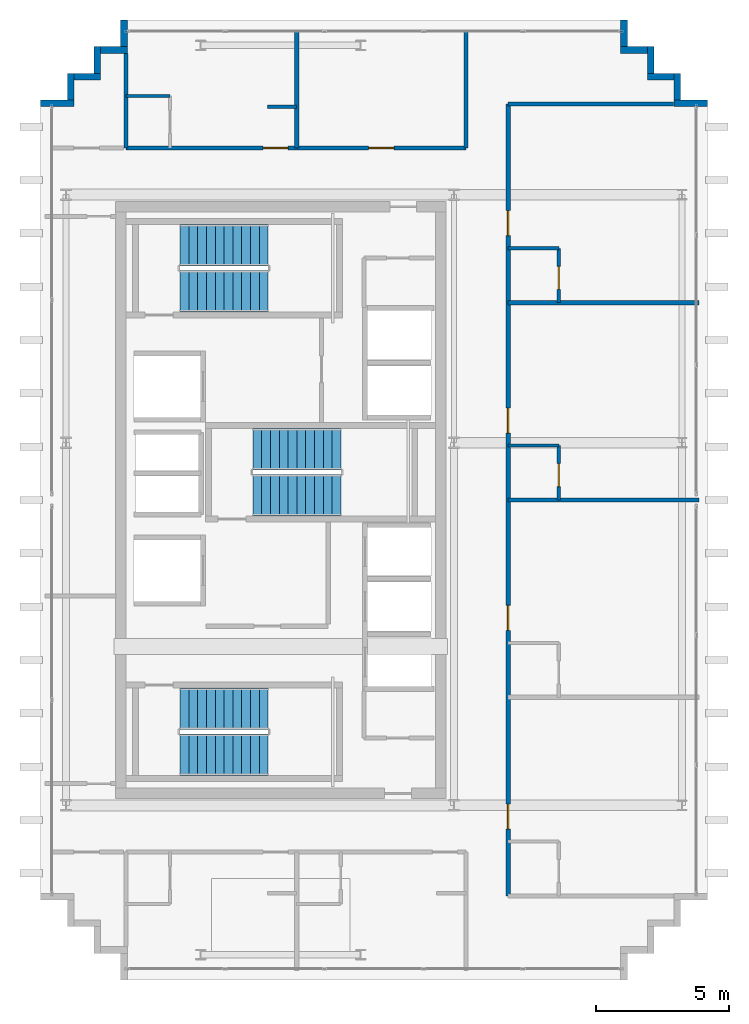
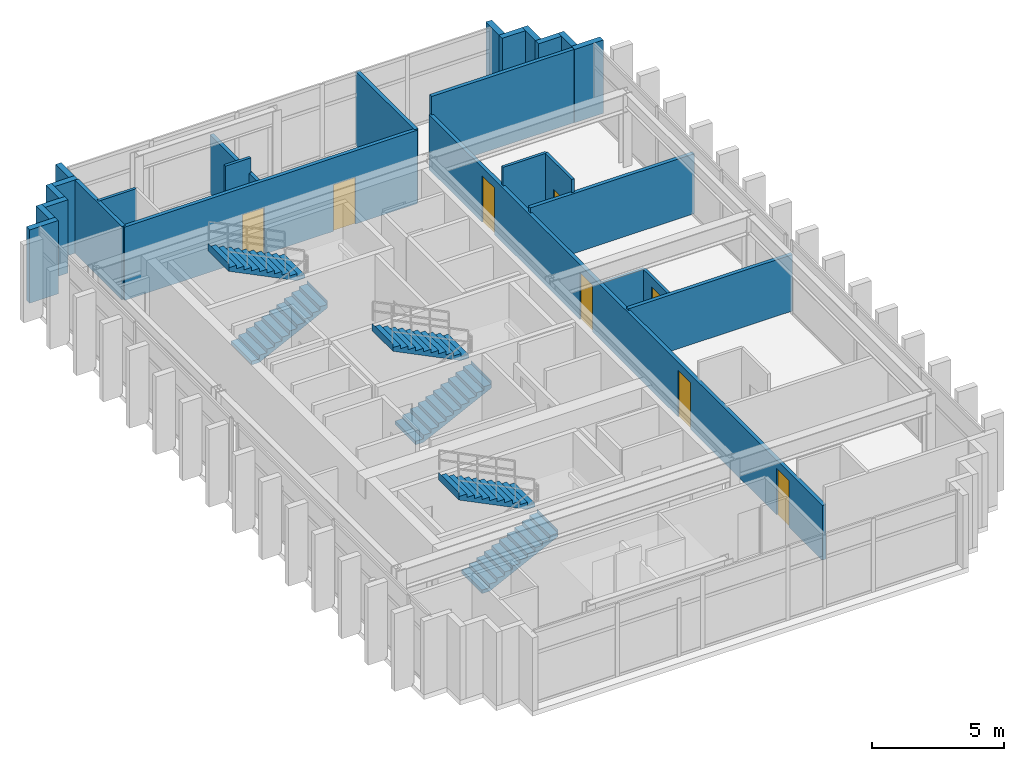
# One storey, part 14 of 15: 26 walls, 8 doors, 6 stair flights, 8 openings, 3 elements without a shape of their own.
"""IFC4 building model written with IfcOpenShell, lengths in metres."""

from ifc_helpers import new_model, si_unit, direction, frame, frame_2d, origin, place, context, subcontext, project, spatial, polyline, rectangle, outline, extrude, source, transform, mapped, material, layer, layer_set, type_object, element, fill, aggregate, save


model = new_model("IFC4")

# Units and contexts
model_context = context("Model", 3, precision=1e-05, world=origin(), true_north=direction((0.0, 1.0)))
body_context = subcontext(model_context, "Body", "Model", "MODEL_VIEW")
ifc_project = project(units=[si_unit("LENGTHUNIT", "METRE"), si_unit("AREAUNIT", "SQUARE_METRE"), si_unit("VOLUMEUNIT", "CUBIC_METRE"), si_unit("PLANEANGLEUNIT", "RADIAN"), si_unit("MASSUNIT", "GRAM", prefix="KILO")], contexts=[model_context])

# Site, building, storey
site_placement = place(None, origin())
site = spatial("IfcSite", under=ifc_project, at=site_placement, CompositionType="ELEMENT")
building_placement = place(site_placement, origin())
building = spatial("IfcBuilding", under=site, at=building_placement, Name="Ocotamira Hotel", CompositionType="ELEMENT")
storey_placement = place(building_placement, frame((0.0, 0.0, 290.39990234375)))
storey = spatial("IfcBuildingStorey", under=building, at=storey_placement, Name="L74", CompositionType="ELEMENT", Elevation=290.39990234375)

# Walls
ifc_material_1 = material(Name="Precast concrete C45/55", Category="concrete")
ifc_layer_1 = layer(ifc_material_1, 0.25)
ifc_layer_set_1 = layer_set([ifc_layer_1], Name="Precast concrete C45/55")
wall_type_1 = type_object("IfcWallType", Name="WL-EXT-SER-250", PredefinedType="SOLIDWALL", material=ifc_layer_set_1)
wall_1_placement = place(storey_placement, frame((33.0, 40.875, 0.0), z_axis=(0.0, 0.0, 1.0), x_axis=(-1.0, 0.0, 0.0)))
element("IfcWall", 1, at=wall_1_placement, inside=storey, type_object=wall_type_1, Name="L74 Serrated Corner Wall 07", PredefinedType="SOLIDWALL", context=body_context, shape_type="SweptSolid", body=[
    extrude(rectangle(XDim=1.25, YDim=0.25, at=frame_2d((0.625, 0.0))), origin(), (0.0, 0.0, 1.0), 3.380126953125),
])
for number, where, z_axis, x_axis, name in (
    (2, (31.875, 41.0, 0.0), (0.0, 0.0, 1.0), (0.0, 1.0, 0.0), "L74 Serrated Corner Wall 08"),
    (3, (31.75, 41.875, 0.0), (0.0, 0.0, 1.0), (-1.0, 0.0, 0.0), "L74 Serrated Corner Wall 09"),
    (4, (30.875, 42.0, 0.0), (0.0, 0.0, 1.0), (0.0, 1.0, 0.0), "L74 Serrated Corner Wall 10"),
    (5, (30.75, 42.875, 0.0), (0.0, 0.0, 1.0), (-1.0, 0.0, 0.0), "L74 Serrated Corner Wall 11"),
    (6, (29.875, 43.0, 0.0), (0.0, 0.0, 1.0), (0.0, 1.0, 0.0), "L74 Serrated Corner Wall 12"),
    (7, (11.125, 44.0, 0.0), (0.0, 0.0, 1.0), (0.0, -1.0, 0.0), "L74 Serrated Corner Wall 13"),
    (8, (11.25, 42.875, 0.0), (0.0, 0.0, 1.0), (-1.0, 0.0, 0.0), "L74 Serrated Corner Wall 14"),
    (9, (10.125, 43.0, 0.0), (0.0, 0.0, 1.0), (0.0, -1.0, 0.0), "L74 Serrated Corner Wall 15"),
    (10, (10.25, 41.875, 0.0), (0.0, 0.0, 1.0), (-1.0, 0.0, 0.0), "L74 Serrated Corner Wall 16"),
    (11, (9.125, 42.0, 0.0), (0.0, 0.0, 1.0), (0.0, -1.0, 0.0), "L74 Serrated Corner Wall 17"),
):
    element("IfcWall", number, at=place(storey_placement, frame(where, z_axis=z_axis, x_axis=x_axis)), inside=storey, type_object=wall_type_1, Name=name, PredefinedType="SOLIDWALL", context=body_context, shape_type="SweptSolid", body=[
        extrude(rectangle(XDim=1.0, YDim=0.25, at=frame_2d((0.5, 0.0))), origin(), (0.0, 0.0, 1.0), 3.380126953125),
    ])
wall_2_placement = place(storey_placement, frame((9.25, 40.875, 0.0), z_axis=(0.0, 0.0, 1.0), x_axis=(-1.0, 0.0, 0.0)))
element("IfcWall", 12, at=wall_2_placement, inside=storey, type_object=wall_type_1, Name="L74 Serrated Corner Wall 18", PredefinedType="SOLIDWALL", context=body_context, shape_type="SweptSolid", body=[
    extrude(rectangle(XDim=1.25, YDim=0.25, at=frame_2d((0.625, 0.0))), origin(), (0.0, 0.0, 1.0), 3.380126953125),
])

# Wall, openings, doors
ifc_material_2 = material(Name="Acoustic double-layer fire gypsum board partition", Category="gypsum")
ifc_layer_2 = layer(ifc_material_2, 0.159912109375)
ifc_layer_set_2 = layer_set([ifc_layer_2], Name="Acoustic double-layer fire gypsum board partition")
wall_type_2 = type_object("IfcWallType", Name="WL-FIRE-160", PredefinedType="PARTITIONING", material=ifc_layer_set_2)
wall_3_placement = place(storey_placement, frame((11.199951171875, 39.199951171875, 0.0), z_axis=(0.0, 0.0, 1.0), x_axis=(1.0, 0.0, 0.0)))
wall_3 = element("IfcWall", 13, at=wall_3_placement, inside=storey, type_object=wall_type_2, Name="L74 Interior Wall PW-L74-WP1N-CORRW", PredefinedType="PARTITIONING", context=body_context, shape_type="SweptSolid", body=[
    extrude(rectangle(XDim=12.75, YDim=0.159912109375, at=frame_2d((6.375, 0.0))), origin(), (0.0, 0.0, 1.0), 3.380126953125),
])
opening_1_placement = place(wall_3_placement, frame((5.139892578125, 0.0, 0.0)))
opening_1 = element("IfcOpeningElement", 14, at=opening_1_placement, cuts=wall_3, Name="Opening D-GR1", PredefinedType="OPENING", context=body_context, shape_type="SweptSolid", body=[
    extrude(rectangle(XDim=0.93994140625, YDim=2.14990234375, at=frame_2d((0.469970703125, 1.074951171875))), frame((0.0, 0.08984375, 0.0), z_axis=(0.0, -1.0, 0.0), x_axis=(1.0, 0.0, 0.0)), (0.0, 0.0, 1.0), 0.179931640625),
])
opening_2_placement = place(wall_3_placement, frame((9.094970703125, 0.0, 0.0)))
opening_2 = element("IfcOpeningElement", 15, at=opening_2_placement, cuts=wall_3, Name="Opening D-SV4", PredefinedType="OPENING", context=body_context, shape_type="SweptSolid", body=[
    extrude(rectangle(XDim=0.9599609375, YDim=2.14990234375, at=frame_2d((0.47998046875, 1.074951171875))), frame((0.0, 0.08984375, 0.0), z_axis=(0.0, -1.0, 0.0), x_axis=(1.0, 0.0, 0.0)), (0.0, 0.0, 1.0), 0.179931640625),
])
ifc_material_3 = material(Name="Fire-rated accessible walnut salon door", Category="wood")
door_type_1 = type_object("IfcDoorType", Name="DR-SERV-960", OperationType="NOTDEFINED", PredefinedType="DOOR", material=ifc_material_3)
shared_shape_1 = source(origin(), body_context, "Body", "SweptSolid", [
    extrude(rectangle(XDim=0.9599609375, YDim=2.14990234375, at=frame_2d((0.47998046875, 1.074951171875))), frame((0.0, 0.02490234375, 0.0), z_axis=(0.0, -1.0, 0.0), x_axis=(1.0, 0.0, 0.0)), (0.0, 0.0, 1.0), 0.050048828125),
])
door_1_placement = place(opening_2_placement, origin())
door_1 = element("IfcDoor", 16, at=door_1_placement, inside=storey, type_object=door_type_1, Name="L74 Door ID-L74-WP1N-AMD2 [ID-L74-WP1N-AMD2]", OperationType="SINGLE_SWING_RIGHT", OverallHeight=2.14990234375, OverallWidth=0.9599609375, PredefinedType="DOOR", context=body_context, shape_type="MappedRepresentation", body=[
    mapped(shared_shape_1, transform((0.0, 0.0, 0.0), scale=1.0)),
])
fill(opening_2, door_1)
ifc_material_4 = material(Name="Solid-core walnut suite entrance fire door", Category="wood")
door_type_2 = type_object("IfcDoorType", Name="DR-GUEST-940", OperationType="NOTDEFINED", PredefinedType="DOOR", material=ifc_material_4)
shared_shape_2 = source(origin(), body_context, "Body", "SweptSolid", [
    extrude(rectangle(XDim=0.93994140625, YDim=2.14990234375, at=frame_2d((0.469970703125, 1.074951171875))), frame((0.0, 0.02490234375, 0.0), z_axis=(0.0, -1.0, 0.0), x_axis=(1.0, 0.0, 0.0)), (0.0, 0.0, 1.0), 0.050048828125),
])
door_2_placement = place(opening_1_placement, origin())
door_2 = element("IfcDoor", 17, at=door_2_placement, inside=storey, type_object=door_type_2, Name="L74 Door ID-L74-WP1N-RMD1 [ID-L74-WP1N-RMD1]", OperationType="SINGLE_SWING_LEFT", OverallHeight=2.14990234375, OverallWidth=0.93994140625, PredefinedType="DOOR", context=body_context, shape_type="MappedRepresentation", body=[
    mapped(shared_shape_2, transform((0.0, 0.0, 0.0), scale=1.0)),
])
fill(opening_1, door_2)

wall_4_placement = place(storey_placement, frame((25.530029296875, 11.14990234375, 0.0), z_axis=(0.0, 0.0, 1.0), x_axis=(0.0, 1.0, 0.0)))
wall_4 = element("IfcWall", 18, at=wall_4_placement, inside=storey, type_object=wall_type_2, Name="L74 Interior Wall PW-L74-WP-EASTW-FULL", PredefinedType="PARTITIONING", context=body_context, shape_type="SweptSolid", body=[
    extrude(rectangle(XDim=29.7001953125, YDim=0.159912109375, at=frame_2d((14.85009765625, 0.0))), origin(), (0.0, 0.0, 1.0), 2.524169921875),
])
opening_3_placement = place(wall_4_placement, frame((2.510009765625, 0.0, 0.0)))
opening_3 = element("IfcOpeningElement", 19, at=opening_3_placement, cuts=wall_4, Name="Opening D-GR1", PredefinedType="OPENING", context=body_context, shape_type="SweptSolid", body=[
    extrude(rectangle(XDim=0.93994140625, YDim=2.14990234375, at=frame_2d((0.469970703125, 1.074951171875))), frame((0.0, 0.08984375, 0.0), z_axis=(0.0, -1.0, 0.0), x_axis=(1.0, 0.0, 0.0)), (0.0, 0.0, 1.0), 0.179931640625),
])
opening_4_placement = place(wall_4_placement, frame((9.9599609375, 0.0, 0.0)))
opening_4 = element("IfcOpeningElement", 20, at=opening_4_placement, cuts=wall_4, Name="Opening D-GR1", PredefinedType="OPENING", context=body_context, shape_type="SweptSolid", body=[
    extrude(rectangle(XDim=0.93994140625, YDim=2.14990234375, at=frame_2d((0.469970703125, 1.074951171875))), frame((0.0, 0.08984375, 0.0), z_axis=(0.0, -1.0, 0.0), x_axis=(1.0, 0.0, 0.0)), (0.0, 0.0, 1.0), 0.179931640625),
])
opening_5_placement = place(wall_4_placement, frame((17.360107421875, 0.0, 0.0)))
opening_5 = element("IfcOpeningElement", 21, at=opening_5_placement, cuts=wall_4, Name="Opening D-GR1", PredefinedType="OPENING", context=body_context, shape_type="SweptSolid", body=[
    extrude(rectangle(XDim=0.93994140625, YDim=2.14990234375, at=frame_2d((0.469970703125, 1.074951171875))), frame((0.0, 0.08984375, 0.0), z_axis=(0.0, -1.0, 0.0), x_axis=(1.0, 0.0, 0.0)), (0.0, 0.0, 1.0), 0.179931640625),
])
opening_6_placement = place(wall_4_placement, frame((24.760009765625, 0.0, 0.0)))
opening_6 = element("IfcOpeningElement", 22, at=opening_6_placement, cuts=wall_4, Name="Opening D-GR1", PredefinedType="OPENING", context=body_context, shape_type="SweptSolid", body=[
    extrude(rectangle(XDim=0.93994140625, YDim=2.14990234375, at=frame_2d((0.469970703125, 1.074951171875))), frame((0.0, 0.08984375, 0.0), z_axis=(0.0, -1.0, 0.0), x_axis=(1.0, 0.0, 0.0)), (0.0, 0.0, 1.0), 0.179931640625),
])
door_3_placement = place(opening_3_placement, origin())
door_3 = element("IfcDoor", 23, at=door_3_placement, inside=storey, type_object=door_type_2, Name="L74 Door ID-L74-WP-ERD1 [ID-L74-WP-ERD1]", OperationType="SINGLE_SWING_LEFT", OverallHeight=2.14990234375, OverallWidth=0.93994140625, PredefinedType="DOOR", context=body_context, shape_type="MappedRepresentation", body=[
    mapped(shared_shape_2, transform((0.0, 0.0, 0.0), scale=1.0)),
])
fill(opening_3, door_3)
door_4_placement = place(opening_4_placement, origin())
door_4 = element("IfcDoor", 24, at=door_4_placement, inside=storey, type_object=door_type_2, Name="L74 Door ID-L74-WP-ERD2 [ID-L74-WP-ERD2]", OperationType="SINGLE_SWING_RIGHT", OverallHeight=2.14990234375, OverallWidth=0.93994140625, PredefinedType="DOOR", context=body_context, shape_type="MappedRepresentation", body=[
    mapped(shared_shape_2, transform((0.0, 0.0, 0.0), scale=1.0)),
])
fill(opening_4, door_4)
door_5_placement = place(opening_5_placement, origin())
door_5 = element("IfcDoor", 25, at=door_5_placement, inside=storey, type_object=door_type_2, Name="L74 Door ID-L74-WP-ERD3 [ID-L74-WP-ERD3]", OperationType="SINGLE_SWING_LEFT", OverallHeight=2.14990234375, OverallWidth=0.93994140625, PredefinedType="DOOR", context=body_context, shape_type="MappedRepresentation", body=[
    mapped(shared_shape_2, transform((0.0, 0.0, 0.0), scale=1.0)),
])
fill(opening_5, door_5)
door_6_placement = place(opening_6_placement, origin())
door_6 = element("IfcDoor", 26, at=door_6_placement, inside=storey, type_object=door_type_2, Name="L74 Door ID-L74-WP-ERD4 [ID-L74-WP-ERD4]", OperationType="SINGLE_SWING_RIGHT", OverallHeight=2.14990234375, OverallWidth=0.93994140625, PredefinedType="DOOR", context=body_context, shape_type="MappedRepresentation", body=[
    mapped(shared_shape_2, transform((0.0, 0.0, 0.0), scale=1.0)),
])
fill(opening_6, door_6)

# Walls
ifc_material_5 = material(Name="Moisture-resistant en-suite tile and gypsum partition", Category="gypsum")
ifc_layer_3 = layer(ifc_material_5, 0.1201171875)
ifc_layer_set_3 = layer_set([ifc_layer_3], Name="Moisture-resistant en-suite tile and gypsum partition")
wall_type_3 = type_object("IfcWallType", Name="WL-PART-120", PredefinedType="PARTITIONING", material=ifc_layer_set_3)
wall_5_placement = place(storey_placement, frame((11.199951171875, 41.14990234375, 0.0), z_axis=(0.0, 0.0, 1.0), x_axis=(1.0, 0.0, 0.0)))
element("IfcWall", 27, at=wall_5_placement, inside=storey, type_object=wall_type_3, Name="L74 Interior Wall PW-L74-WP1N-BAN1", PredefinedType="PARTITIONING", context=body_context, shape_type="SweptSolid", body=[
    extrude(rectangle(XDim=1.650146484375, YDim=0.1201171875, at=frame_2d((0.8251953125, 0.0))), origin(), (0.0, 0.0, 1.0), 3.380126953125),
])
wall_6_placement = place(storey_placement, frame((16.5, 40.75, 0.0), z_axis=(0.0, 0.0, 1.0), x_axis=(1.0, 0.0, 0.0)))
element("IfcWall", 28, at=wall_6_placement, inside=storey, type_object=wall_type_3, Name="L74 Interior Wall PW-L74-WP1N-DRN1", PredefinedType="PARTITIONING", context=body_context, shape_type="SweptSolid", body=[
    extrude(rectangle(XDim=1.10009765625, YDim=0.1201171875, at=frame_2d((0.550048828125, 0.0))), origin(), (0.0, 0.0, 1.0), 3.380126953125),
])

# Wall, opening, door
wall_7_placement = place(storey_placement, frame((27.429931640625, 26.0, 0.0), z_axis=(0.0, 0.0, 1.0), x_axis=(0.0, 1.0, 0.0)))
wall_7 = element("IfcWall", 29, at=wall_7_placement, inside=storey, type_object=wall_type_3, Name="L74 Interior Wall PW-L74-WP-EBE3", PredefinedType="PARTITIONING", context=body_context, shape_type="SweptSolid", body=[
    extrude(rectangle(XDim=2.0400390625, YDim=0.1201171875, at=frame_2d((1.02001953125, 0.0))), origin(), (0.0, 0.0, 1.0), 2.524169921875),
])
opening_7_placement = place(wall_7_placement, frame((0.5, 0.0, 0.0)))
opening_7 = element("IfcOpeningElement", 30, at=opening_7_placement, cuts=wall_7, Name="Opening D-BA1", PredefinedType="OPENING", context=body_context, shape_type="SweptSolid", body=[
    extrude(rectangle(XDim=0.860107421875, YDim=2.10009765625, at=frame_2d((0.43017578125, 1.050048828125))), frame((0.0, 0.070068359375, 0.0), z_axis=(0.0, -1.0, 0.0), x_axis=(1.0, 0.0, 0.0)), (0.0, 0.0, 1.0), 0.14013671875),
])
ifc_material_6 = material(Name="Moisture-sealed en-suite timber door", Category="wood")
door_type_3 = type_object("IfcDoorType", Name="DR-BATH-860", OperationType="NOTDEFINED", PredefinedType="DOOR", material=ifc_material_6)
shared_shape_3 = source(origin(), body_context, "Body", "SweptSolid", [
    extrude(rectangle(XDim=0.860107421875, YDim=2.10009765625, at=frame_2d((0.43017578125, 1.050048828125))), frame((0.0, 0.02490234375, 0.0), z_axis=(0.0, -1.0, 0.0), x_axis=(1.0, 0.0, 0.0)), (0.0, 0.0, 1.0), 0.050048828125),
])
door_7_placement = place(opening_7_placement, origin())
door_7 = element("IfcDoor", 31, at=door_7_placement, inside=storey, type_object=door_type_3, Name="L74 Door ID-L74-WP-EBD3 [ID-L74-WP-EBD3]", OperationType="SINGLE_SWING_LEFT", OverallHeight=2.10009765625, OverallWidth=0.860107421875, PredefinedType="DOOR", context=body_context, shape_type="MappedRepresentation", body=[
    mapped(shared_shape_3, transform((0.0, 0.0, 0.0), scale=1.0)),
])
fill(opening_7, door_7)

# Wall
wall_8_placement = place(storey_placement, frame((25.530029296875, 28.0400390625, 0.0), z_axis=(0.0, 0.0, 1.0), x_axis=(1.0, 0.0, 0.0)))
element("IfcWall", 32, at=wall_8_placement, inside=storey, type_object=wall_type_3, Name="L74 Interior Wall PW-L74-WP-EBN3", PredefinedType="PARTITIONING", context=body_context, shape_type="SweptSolid", body=[
    extrude(rectangle(XDim=1.89990234375, YDim=0.1201171875, at=frame_2d((0.949951171875, 0.0))), origin(), (0.0, 0.0, 1.0), 2.524169921875),
])

# Wall, opening, door
wall_9_placement = place(storey_placement, frame((27.429931640625, 33.39990234375, 0.0), z_axis=(0.0, 0.0, 1.0), x_axis=(0.0, 1.0, 0.0)))
wall_9 = element("IfcWall", 33, at=wall_9_placement, inside=storey, type_object=wall_type_3, Name="L74 Interior Wall PW-L74-WP-EBE4", PredefinedType="PARTITIONING", context=body_context, shape_type="SweptSolid", body=[
    extrude(rectangle(XDim=2.0400390625, YDim=0.1201171875, at=frame_2d((1.02001953125, 0.0))), origin(), (0.0, 0.0, 1.0), 3.380126953125),
])
opening_8_placement = place(wall_9_placement, frame((0.5, 0.0, 0.0)))
opening_8 = element("IfcOpeningElement", 34, at=opening_8_placement, cuts=wall_9, Name="Opening D-BA1", PredefinedType="OPENING", context=body_context, shape_type="SweptSolid", body=[
    extrude(rectangle(XDim=0.860107421875, YDim=2.10009765625, at=frame_2d((0.43017578125, 1.050048828125))), frame((0.0, 0.070068359375, 0.0), z_axis=(0.0, -1.0, 0.0), x_axis=(1.0, 0.0, 0.0)), (0.0, 0.0, 1.0), 0.14013671875),
])
door_8_placement = place(opening_8_placement, origin())
door_8 = element("IfcDoor", 35, at=door_8_placement, inside=storey, type_object=door_type_3, Name="L74 Door ID-L74-WP-EBD4 [ID-L74-WP-EBD4]", OperationType="SINGLE_SWING_LEFT", OverallHeight=2.10009765625, OverallWidth=0.860107421875, PredefinedType="DOOR", context=body_context, shape_type="MappedRepresentation", body=[
    mapped(shared_shape_3, transform((0.0, 0.0, 0.0), scale=1.0)),
])
fill(opening_8, door_8)

# Walls
wall_10_placement = place(storey_placement, frame((25.530029296875, 35.43994140625, 0.0), z_axis=(0.0, 0.0, 1.0), x_axis=(1.0, 0.0, 0.0)))
element("IfcWall", 36, at=wall_10_placement, inside=storey, type_object=wall_type_3, Name="L74 Interior Wall PW-L74-WP-EBN4", PredefinedType="PARTITIONING", context=body_context, shape_type="SweptSolid", body=[
    extrude(rectangle(XDim=1.89990234375, YDim=0.1201171875, at=frame_2d((0.949951171875, 0.0))), origin(), (0.0, 0.0, 1.0), 3.380126953125),
])
ifc_material_7 = material(Name="Acoustic double-stud hospitality gypsum partition", Category="gypsum")
ifc_layer_4 = layer(ifc_material_7, 0.159912109375)
ifc_layer_set_4 = layer_set([ifc_layer_4], Name="Acoustic double-stud hospitality gypsum partition")
wall_type_4 = type_object("IfcWallType", Name="WL-PART-160", PredefinedType="PARTITIONING", material=ifc_layer_set_4)
wall_11_placement = place(storey_placement, frame((11.199951171875, 39.199951171875, 0.0), z_axis=(0.0, 0.0, 1.0), x_axis=(0.0, 1.0, 0.0)))
element("IfcWall", 37, at=wall_11_placement, inside=storey, type_object=wall_type_4, Name="L74 Interior Wall PW-L74-WP1N-PW0", PredefinedType="PARTITIONING", context=body_context, shape_type="SweptSolid", body=[
    extrude(rectangle(XDim=3.5400390625, YDim=0.159912109375, at=frame_2d((1.77001953125, 0.0))), origin(), (0.0, 0.0, 1.0), 3.380126953125),
])
wall_12_placement = place(storey_placement, frame((23.949951171875, 39.199951171875, 0.0), z_axis=(0.0, 0.0, 1.0), x_axis=(0.0, 1.0, 0.0)))
element("IfcWall", 38, at=wall_12_placement, inside=storey, type_object=wall_type_4, Name="L74 Interior Wall PW-L74-WP1N-PWEND", PredefinedType="PARTITIONING", context=body_context, shape_type="SweptSolid", body=[
    extrude(rectangle(XDim=4.43994140625, YDim=0.159912109375, at=frame_2d((2.219970703125, 0.0))), origin(), (0.0, 0.0, 1.0), 3.380126953125),
])
wall_13_placement = place(storey_placement, frame((17.60009765625, 39.199951171875, 0.0), z_axis=(0.0, 0.0, 1.0), x_axis=(0.0, 1.0, 0.0)))
element("IfcWall", 39, at=wall_13_placement, inside=storey, type_object=wall_type_4, Name="L74 Interior Wall PW-L74-WP1N-PW1", PredefinedType="PARTITIONING", context=body_context, shape_type="SweptSolid", body=[
    extrude(rectangle(XDim=4.43994140625, YDim=0.159912109375, at=frame_2d((2.219970703125, 0.0))), origin(), (0.0, 0.0, 1.0), 2.68701171875),
])
wall_14_placement = place(storey_placement, frame((25.530029296875, 40.85009765625, 0.0), z_axis=(0.0, 0.0, 1.0), x_axis=(1.0, 0.0, 0.0)))
element("IfcWall", 40, at=wall_14_placement, inside=storey, type_object=wall_type_4, Name="L74 Interior Wall PW-L74-WP-EDIVN", PredefinedType="PARTITIONING", context=body_context, shape_type="SweptSolid", body=[
    extrude(rectangle(XDim=6.2099609375, YDim=0.159912109375, at=frame_2d((3.10498046875, 0.0))), origin(), (0.0, 0.0, 1.0), 3.380126953125),
])
wall_15_placement = place(storey_placement, frame((25.530029296875, 26.0, 0.0), z_axis=(0.0, 0.0, 1.0), x_axis=(1.0, 0.0, 0.0)))
element("IfcWall", 41, at=wall_15_placement, inside=storey, type_object=wall_type_4, Name="L74 Interior Wall PW-L74-WP-EDIV2", PredefinedType="PARTITIONING", context=body_context, shape_type="SweptSolid", body=[
    extrude(rectangle(XDim=7.14990234375, YDim=0.159912109375, at=frame_2d((3.574951171875, 0.0))), origin(), (0.0, 0.0, 1.0), 2.60107421875),
])
wall_16_placement = place(storey_placement, frame((25.530029296875, 33.39990234375, 0.0), z_axis=(0.0, 0.0, 1.0), x_axis=(1.0, 0.0, 0.0)))
element("IfcWall", 42, at=wall_16_placement, inside=storey, type_object=wall_type_4, Name="L74 Interior Wall PW-L74-WP-EDIV3", PredefinedType="PARTITIONING", context=body_context, shape_type="SweptSolid", body=[
    extrude(rectangle(XDim=7.14990234375, YDim=0.159912109375, at=frame_2d((3.574951171875, 0.0))), origin(), (0.0, 0.0, 1.0), 2.76318359375),
])

# Stair, stair flights
ifc_material_8 = material(Name="Concrete C40/50", Category="concrete")
stair_type = type_object("IfcStairType", Name="ST-CORE-1560", PredefinedType="HALF_TURN_STAIR", material=ifc_material_8)
stair_1_placement = place(storey_placement, origin())
stair_1 = element("IfcStair", 43, at=stair_1_placement, inside=storey, type_object=stair_type, Name="L74 Exit Stair ST-1", PredefinedType="HALF_TURN_STAIR")
stair_flight_type = type_object("IfcStairFlightType", Name="STF-CORE-1560", PredefinedType="STRAIGHT", material=ifc_material_8)
shared_shape_4 = source(origin(), body_context, "Body", "SweptSolid", [
    extrude(outline(polyline([(-0.00390625, 0.0), (-0.00390625, 0.16357421875), (0.330078125, 0.16357421875), (0.330078125, 0.327392578125), (0.659912109375, 0.327392578125), (0.659912109375, 0.490966796875), (0.989990234375, 0.490966796875), (0.989990234375, 0.654541015625), (1.320068359375, 0.654541015625), (1.320068359375, 0.818115234375), (1.64990234375, 0.818115234375), (1.64990234375, 0.98193359375), (1.97998046875, 0.98193359375), (1.97998046875, 1.1455078125), (2.31005859375, 1.1455078125), (2.31005859375, 1.30908203125), (2.639892578125, 1.30908203125), (2.639892578125, 1.47265625), (2.969970703125, 1.47265625), (2.969970703125, 1.636474609375), (3.300048828125, 1.636474609375), (3.300048828125, 1.800048828125), (3.303955078125, 1.800048828125), (3.303955078125, 1.468994140625), (0.33740234375, 0.0), (-0.00390625, 0.0)])), frame((0.0, 0.780029296875, 0.0), z_axis=(0.0, -1.0, 0.0), x_axis=(1.0, 0.0, 0.0)), (0.0, 0.0, 1.0), 1.56005859375),
])
stair_flight_1_placement = place(storey_placement, frame((13.22998046875, 16.449951171875, 0.0), z_axis=(0.0, 0.0, 1.0), x_axis=(1.0, 0.0, 0.0)))
stair_flight_1 = element("IfcStairFlight", 44, at=stair_flight_1_placement, type_object=stair_flight_type, Name="ST-1 flight 1", NumberOfRisers=11, NumberOfTreads=10, PredefinedType="STRAIGHT", RiserHeight=0.163636364, TreadLength=0.33, context=body_context, shape_type="MappedRepresentation", body=[
    mapped(shared_shape_4, transform((0.0, 0.0, 0.0), scale=1.0)),
])
stair_flight_2_placement = place(storey_placement, frame((16.530029296875, 18.169921875, 1.800048828125), z_axis=(0.0, 0.0, 1.0), x_axis=(-1.0, 0.0, 0.0)))
stair_flight_2 = element("IfcStairFlight", 45, at=stair_flight_2_placement, type_object=stair_flight_type, Name="ST-1 flight 2", NumberOfRisers=11, NumberOfTreads=10, PredefinedType="STRAIGHT", RiserHeight=0.163636364, TreadLength=0.33, context=body_context, shape_type="MappedRepresentation", body=[
    mapped(shared_shape_4, transform((0.0, 0.0, 0.0), scale=1.0)),
])
aggregate(stair_1, [stair_flight_1, stair_flight_2])

stair_2_placement = place(storey_placement, origin())
stair_2 = element("IfcStair", 46, at=stair_2_placement, inside=storey, type_object=stair_type, Name="L74 Exit Stair ST-2", PredefinedType="HALF_TURN_STAIR")
stair_flight_3_placement = place(storey_placement, frame((13.22998046875, 33.830078125, 0.0), z_axis=(0.0, 0.0, 1.0), x_axis=(1.0, 0.0, 0.0)))
stair_flight_3 = element("IfcStairFlight", 47, at=stair_flight_3_placement, type_object=stair_flight_type, Name="ST-2 flight 1", NumberOfRisers=11, NumberOfTreads=10, PredefinedType="STRAIGHT", RiserHeight=0.163636364, TreadLength=0.33, context=body_context, shape_type="MappedRepresentation", body=[
    mapped(shared_shape_4, transform((0.0, 0.0, 0.0), scale=1.0)),
])
stair_flight_4_placement = place(storey_placement, frame((16.530029296875, 35.550048828125, 1.800048828125), z_axis=(0.0, 0.0, 1.0), x_axis=(-1.0, 0.0, 0.0)))
stair_flight_4 = element("IfcStairFlight", 48, at=stair_flight_4_placement, type_object=stair_flight_type, Name="ST-2 flight 2", NumberOfRisers=11, NumberOfTreads=10, PredefinedType="STRAIGHT", RiserHeight=0.163636364, TreadLength=0.33, context=body_context, shape_type="MappedRepresentation", body=[
    mapped(shared_shape_4, transform((0.0, 0.0, 0.0), scale=1.0)),
])
aggregate(stair_2, [stair_flight_3, stair_flight_4])

stair_3_placement = place(storey_placement, origin())
stair_3 = element("IfcStair", 49, at=stair_3_placement, inside=storey, type_object=stair_type, Name="L74 Exit Stair ST-3", PredefinedType="HALF_TURN_STAIR")
stair_flight_5_placement = place(storey_placement, frame((15.9599609375, 26.179931640625, 0.0), z_axis=(0.0, 0.0, 1.0), x_axis=(1.0, 0.0, 0.0)))
stair_flight_5 = element("IfcStairFlight", 50, at=stair_flight_5_placement, type_object=stair_flight_type, Name="ST-3 flight 1", NumberOfRisers=11, NumberOfTreads=10, PredefinedType="STRAIGHT", RiserHeight=0.163636364, TreadLength=0.33, context=body_context, shape_type="MappedRepresentation", body=[
    mapped(shared_shape_4, transform((0.0, 0.0, 0.0), scale=1.0)),
])
stair_flight_6_placement = place(storey_placement, frame((19.260009765625, 27.89990234375, 1.800048828125), z_axis=(0.0, 0.0, 1.0), x_axis=(-1.0, 0.0, 0.0)))
stair_flight_6 = element("IfcStairFlight", 51, at=stair_flight_6_placement, type_object=stair_flight_type, Name="ST-3 flight 2", NumberOfRisers=11, NumberOfTreads=10, PredefinedType="STRAIGHT", RiserHeight=0.163636364, TreadLength=0.33, context=body_context, shape_type="MappedRepresentation", body=[
    mapped(shared_shape_4, transform((0.0, 0.0, 0.0), scale=1.0)),
])
aggregate(stair_3, [stair_flight_5, stair_flight_6])

save(model, "model.ifc")
